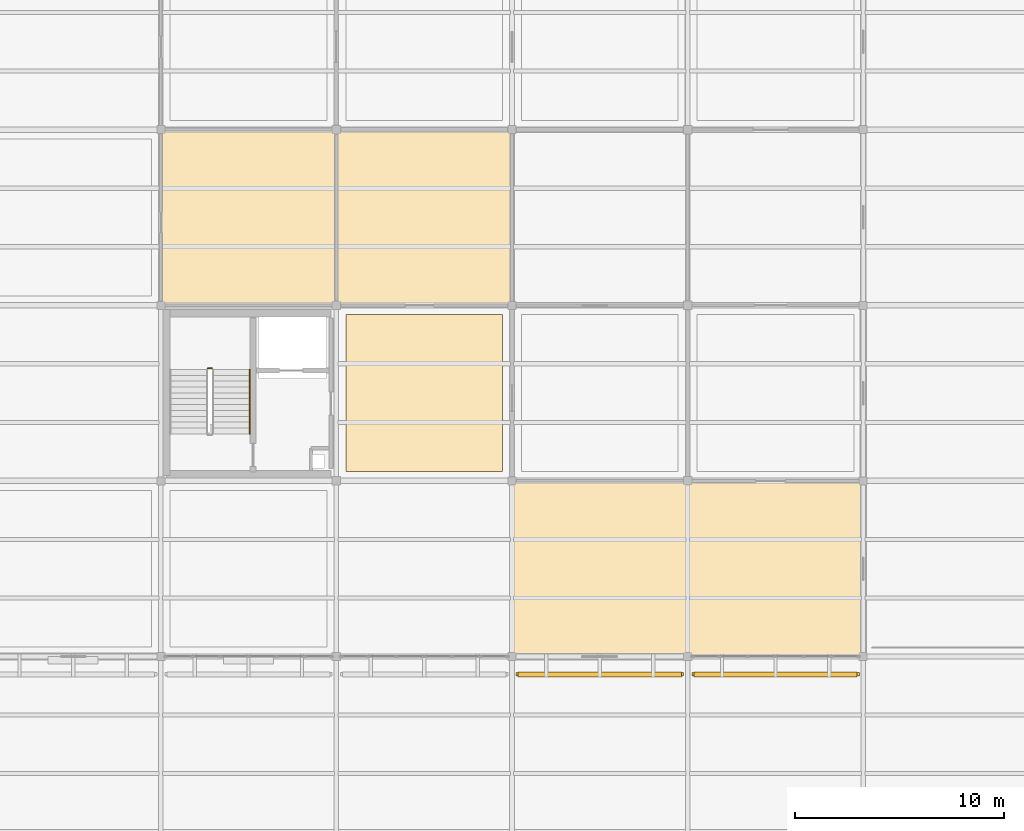
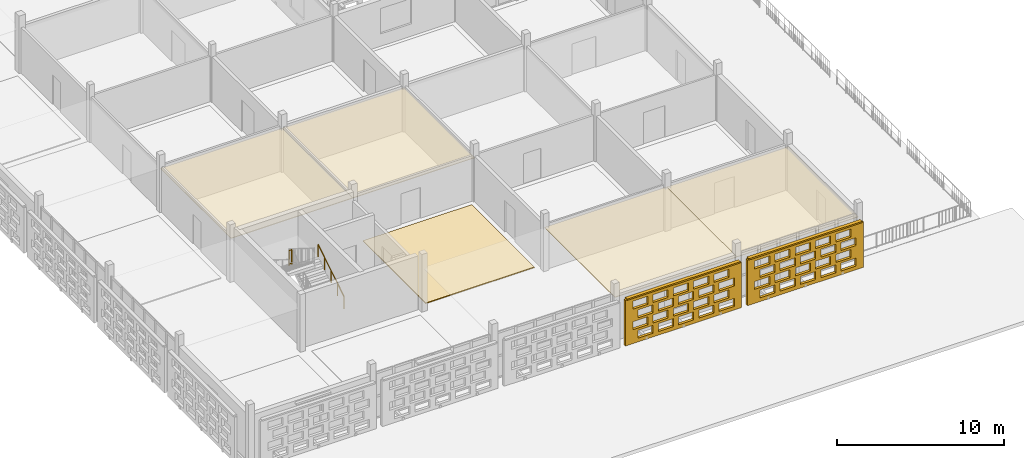
# One storey, part 99 of 140: 7 coverings, 2 railings, 2 shading devices, 40 openings.
"""IFC4 building model written with IfcOpenShell, lengths in metres."""

from ifc_helpers import new_model, si_unit, direction, frame, frame_2d, origin, origin_2d, place, context, subcontext, project, spatial, rectangle, circle, extrude, material, layer, layer_set, type_object, element, save


model = new_model("IFC4")

# Units and contexts
model_context = context("Model", 3, precision=1e-05, world=origin(), true_north=direction((0.0, 1.0)))
body_context = subcontext(model_context, "Body", "Model", "MODEL_VIEW")
ifc_project = project(units=[si_unit("LENGTHUNIT", "METRE"), si_unit("AREAUNIT", "SQUARE_METRE"), si_unit("VOLUMEUNIT", "CUBIC_METRE"), si_unit("PLANEANGLEUNIT", "RADIAN"), si_unit("MASSUNIT", "GRAM", prefix="KILO")], contexts=[model_context])

# Site, building, storey
site_placement = place(None, origin())
site = spatial("IfcSite", under=ifc_project, at=site_placement, CompositionType="ELEMENT")
building_placement = place(site_placement, origin())
building = spatial("IfcBuilding", under=site, at=building_placement, Name="Varnapada Polytechnic", CompositionType="ELEMENT")
storey_placement = place(building_placement, frame((0.0, 0.0, 13.800048828125)))
storey = spatial("IfcBuildingStorey", under=building, at=storey_placement, Name="L03", CompositionType="ELEMENT", Elevation=13.800048828125)

# Covering
ifc_material_1 = material(Name="Anti-Static Raised Laboratory Flooring")
ifc_layer_1 = layer(ifc_material_1, 0.06005859375)
ifc_layer_set_1 = layer_set([ifc_layer_1], Name="Anti-Static Raised Laboratory Flooring")
covering_type_1 = type_object("IfcCoveringType", Name="Floor Finish FLR-02", PredefinedType="FLOORING", material=ifc_layer_set_1)
covering_1_placement = place(storey_placement, frame((29.39990234375, 21.0, 0.0), z_axis=(0.0, 0.0, 1.0), x_axis=(1.0, 0.0, 0.0)))
element("IfcCovering", 1, at=covering_1_placement, inside=storey, type_object=covering_type_1, Name="L03 floor finish panel (4,3)", PredefinedType="FLOORING", context=body_context, shape_type="SweptSolid", body=[
    extrude(rectangle(XDim=7.5, YDim=7.5, at=origin_2d()), origin(), (0.0, 0.0, 1.0), 0.06005859375),
])

# Railings
ifc_material_2 = material(Name="Brushed Stainless Steel 316", Category="steel")
railing_type_1 = type_object("IfcRailingType", Name="Stair Wall Handrail SHR-01", PredefinedType="HANDRAIL", material=ifc_material_2)
railing_1_placement = place(storey_placement, frame((21.050048828125, 19.050048828125, 0.175048828125)))
element("IfcRailing", 2, at=railing_1_placement, inside=storey, type_object=railing_type_1, Name="L03 ST-3 stair handrail 1", PredefinedType="HANDRAIL", context=body_context, shape_type="SweptSolid", body=[
    extrude(circle(Radius=0.02392578125, at=origin_2d()), frame((0.0, 0.0, 0.8759765625), z_axis=(0.0, 0.848009633417, 0.529980812513), x_axis=(-1.0, 0.0, 0.0)), (0.0, 0.0, 1.0), 3.6318359375),
    extrude(circle(Radius=0.02099609375, at=origin_2d()), origin(), (0.0, 0.0, 1.0), 0.851806640625),
    extrude(circle(Radius=0.02099609375, at=origin_2d()), frame((0.0, 0.77001953125, 0.481201171875)), (0.0, 0.0, 1.0), 0.851806640625),
    extrude(circle(Radius=0.02099609375, at=origin_2d()), frame((0.0, 1.5400390625, 0.96240234375)), (0.0, 0.0, 1.0), 0.851806640625),
    extrude(circle(Radius=0.02099609375, at=origin_2d()), frame((0.0, 2.309814453125, 1.443603515625)), (0.0, 0.0, 1.0), 0.851806640625),
    extrude(circle(Radius=0.02099609375, at=origin_2d()), frame((0.0, 3.079833984375, 1.9248046875)), (0.0, 0.0, 1.0), 0.851806640625),
])
railing_type_2 = type_object("IfcRailingType", Name="Stair Well Guard Rail SGR-01", PredefinedType="BALUSTRADE", material=ifc_material_2)
railing_2_placement = place(storey_placement, frame((19.25, 22.179931640625, 2.099853515625)))
element("IfcRailing", 3, at=railing_2_placement, inside=storey, type_object=railing_type_2, Name="L03 ST-3 stair guard 2", PredefinedType="BALUSTRADE", context=body_context, shape_type="SweptSolid", body=[
    extrude(circle(Radius=0.02392578125, at=origin_2d()), frame((0.0, 0.0, 1.09619140625), z_axis=(-1.0, 0.0, 0.0), x_axis=(0.0, -1.0, 0.0)), (0.0, 0.0, 1.0), 0.199951171875),
    extrude(circle(Radius=0.02392578125, at=origin_2d()), frame((0.0, 0.0, 0.10009765625), z_axis=(-1.0, 0.0, 0.0), x_axis=(0.0, -1.0, 0.0)), (0.0, 0.0, 1.0), 0.199951171875),
    extrude(circle(Radius=0.02099609375, at=origin_2d()), origin(), (0.0, 0.0, 1.0), 1.072021484375),
    extrude(circle(Radius=0.02099609375, at=origin_2d()), frame((-0.199951171875, 0.0, 0.0)), (0.0, 0.0, 1.0), 1.072021484375),
])

# Coverings
ifc_material_3 = material(Name="Perforated Timber Slatted Baffle Ceiling", Category="wood")
ifc_layer_2 = layer(ifc_material_3, 0.050048828125)
ifc_layer_set_2 = layer_set([ifc_layer_2], Name="Perforated Timber Slatted Baffle Ceiling")
covering_type_2 = type_object("IfcCoveringType", Name="Suspended Ceiling CLG-02", PredefinedType="CEILING", material=ifc_layer_set_2)
covering_2_placement = place(storey_placement, frame((37.800048828125, 12.60009765625, 3.02490234375), z_axis=(0.0, 0.0, 1.0), x_axis=(1.0, 0.0, 0.0)))
element("IfcCovering", 4, at=covering_2_placement, inside=storey, type_object=covering_type_2, Name="L03 suspended acoustic ceiling (5,2)", PredefinedType="CEILING", context=body_context, shape_type="SweptSolid", body=[
    extrude(rectangle(XDim=8.419921875, YDim=8.419921875, at=origin_2d()), origin(), (0.0, 0.0, 1.0), 0.050048828125),
])
ifc_material_4 = material(Name="Micro-Perforated Gypsum Acoustic Ceiling")
ifc_layer_3 = layer(ifc_material_4, 0.044921875)
ifc_layer_set_3 = layer_set([ifc_layer_3], Name="Micro-Perforated Gypsum Acoustic Ceiling")
covering_type_3 = type_object("IfcCoveringType", Name="Suspended Ceiling CLG-04", PredefinedType="CEILING", material=ifc_layer_set_3)
for number, where, z_axis, x_axis, name in (
    (5, (21.0, 29.39990234375, 3.027587890625), (0.0, 0.0, 1.0), (1.0, 0.0, 0.0), "L03 suspended acoustic ceiling (3,4)"),
    (6, (29.39990234375, 29.39990234375, 3.027587890625), (0.0, 0.0, 1.0), (1.0, 0.0, 0.0), "L03 suspended acoustic ceiling (4,4)"),
):
    element("IfcCovering", number, at=place(storey_placement, frame(where, z_axis=z_axis, x_axis=x_axis)), inside=storey, type_object=covering_type_3, Name=name, PredefinedType="CEILING", context=body_context, shape_type="SweptSolid", body=[
        extrude(rectangle(XDim=8.419921875, YDim=8.419921875, at=origin_2d()), origin(), (0.0, 0.0, 1.0), 0.044921875),
    ])
ifc_material_5 = material(Name="Cleanroom Laboratory Metal Pan Ceiling")
ifc_layer_4 = layer(ifc_material_5, 0.034912109375)
ifc_layer_set_4 = layer_set([ifc_layer_4], Name="Cleanroom Laboratory Metal Pan Ceiling")
covering_type_4 = type_object("IfcCoveringType", Name="Suspended Ceiling CLG-06", PredefinedType="CEILING", material=ifc_layer_set_4)
covering_3_placement = place(storey_placement, frame((46.199951171875, 12.60009765625, 3.03271484375), z_axis=(0.0, 0.0, 1.0), x_axis=(1.0, 0.0, 0.0)))
element("IfcCovering", 7, at=covering_3_placement, inside=storey, type_object=covering_type_4, Name="L03 suspended acoustic ceiling (6,2)", PredefinedType="CEILING", context=body_context, shape_type="SweptSolid", body=[
    extrude(rectangle(XDim=8.419921875, YDim=8.419921875, at=origin_2d()), origin(), (0.0, 0.0, 1.0), 0.034912109375),
])

# Covering, openings
ifc_material_6 = material(Name="Earth-toned architectural terracotta screen block", Category="masonry")
ifc_layer_5 = layer(ifc_material_6, 0.1201171875)
ifc_layer_set_5 = layer_set([ifc_layer_5], Name="Earth-toned architectural terracotta screen block")
covering_type_5 = type_object("IfcCoveringType", Name="Terracotta Screen Cladding CLD-01", PredefinedType="CLADDING", material=ifc_layer_set_5)
covering_4_placement = place(storey_placement, frame((41.800048828125, 7.550048828125, 0.0), z_axis=(0.0, 0.0, 1.0), x_axis=(-1.0, 0.0, 0.0)))
covering_4 = element("IfcCovering", 8, at=covering_4_placement, inside=storey, type_object=covering_type_5, Name="L03 perforated terracotta block screen (33)", PredefinedType="CLADDING", context=body_context, shape_type="SweptSolid", body=[
    extrude(rectangle(XDim=8.010009765625, YDim=0.179931640625, at=frame_2d((4.0048828125, 0.0))), origin(), (0.0, 0.0, 1.0), 3.320068359375),
])
opening_1_placement = place(covering_4_placement, frame((0.5048828125, 0.0, 0.265625)))
element("IfcOpeningElement", 9, at=opening_1_placement, cuts=covering_4, Name="Screen perforation TBS-L03-032.1", PredefinedType="OPENING", context=body_context, shape_type="SweptSolid", body=[
    extrude(rectangle(XDim=1.0400390625, YDim=0.5810546875, at=frame_2d((0.52001953125, 0.29052734375))), frame((0.0, 0.099853515625, 0.0), z_axis=(0.0, -1.0, 0.0), x_axis=(1.0, 0.0, 0.0)), (0.0, 0.0, 1.0), 0.199951171875),
])
opening_2_placement = place(covering_4_placement, frame((1.905029296875, 0.0, 0.265625)))
element("IfcOpeningElement", 10, at=opening_2_placement, cuts=covering_4, Name="Screen perforation TBS-L03-032.2", PredefinedType="OPENING", context=body_context, shape_type="SweptSolid", body=[
    extrude(rectangle(XDim=1.0400390625, YDim=0.5810546875, at=frame_2d((0.52001953125, 0.29052734375))), frame((0.0, 0.099853515625, 0.0), z_axis=(0.0, -1.0, 0.0), x_axis=(1.0, 0.0, 0.0)), (0.0, 0.0, 1.0), 0.199951171875),
])
opening_3_placement = place(covering_4_placement, frame((3.304931640625, 0.0, 0.265625)))
element("IfcOpeningElement", 11, at=opening_3_placement, cuts=covering_4, Name="Screen perforation TBS-L03-032.3", PredefinedType="OPENING", context=body_context, shape_type="SweptSolid", body=[
    extrude(rectangle(XDim=1.0400390625, YDim=0.5810546875, at=frame_2d((0.52001953125, 0.29052734375))), frame((0.0, 0.099853515625, 0.0), z_axis=(0.0, -1.0, 0.0), x_axis=(1.0, 0.0, 0.0)), (0.0, 0.0, 1.0), 0.199951171875),
])
opening_4_placement = place(covering_4_placement, frame((4.705078125, 0.0, 0.265625)))
element("IfcOpeningElement", 12, at=opening_4_placement, cuts=covering_4, Name="Screen perforation TBS-L03-032.4", PredefinedType="OPENING", context=body_context, shape_type="SweptSolid", body=[
    extrude(rectangle(XDim=1.0400390625, YDim=0.5810546875, at=frame_2d((0.52001953125, 0.29052734375))), frame((0.0, 0.099853515625, 0.0), z_axis=(0.0, -1.0, 0.0), x_axis=(1.0, 0.0, 0.0)), (0.0, 0.0, 1.0), 0.199951171875),
])
opening_5_placement = place(covering_4_placement, frame((6.10498046875, 0.0, 0.265625)))
element("IfcOpeningElement", 13, at=opening_5_placement, cuts=covering_4, Name="Screen perforation TBS-L03-032.5", PredefinedType="OPENING", context=body_context, shape_type="SweptSolid", body=[
    extrude(rectangle(XDim=1.0400390625, YDim=0.5810546875, at=frame_2d((0.52001953125, 0.29052734375))), frame((0.0, 0.099853515625, 0.0), z_axis=(0.0, -1.0, 0.0), x_axis=(1.0, 0.0, 0.0)), (0.0, 0.0, 1.0), 0.199951171875),
])
opening_6_placement = place(covering_4_placement, frame((0.864990234375, 0.0, 1.0126953125)))
element("IfcOpeningElement", 14, at=opening_6_placement, cuts=covering_4, Name="Screen perforation TBS-L03-032.6", PredefinedType="OPENING", context=body_context, shape_type="SweptSolid", body=[
    extrude(rectangle(XDim=1.0400390625, YDim=0.5810546875, at=frame_2d((0.52001953125, 0.29052734375))), frame((0.0, 0.099853515625, 0.0), z_axis=(0.0, -1.0, 0.0), x_axis=(1.0, 0.0, 0.0)), (0.0, 0.0, 1.0), 0.199951171875),
])
opening_7_placement = place(covering_4_placement, frame((2.264892578125, 0.0, 1.0126953125)))
element("IfcOpeningElement", 15, at=opening_7_placement, cuts=covering_4, Name="Screen perforation TBS-L03-032.7", PredefinedType="OPENING", context=body_context, shape_type="SweptSolid", body=[
    extrude(rectangle(XDim=1.0400390625, YDim=0.5810546875, at=frame_2d((0.52001953125, 0.29052734375))), frame((0.0, 0.099853515625, 0.0), z_axis=(0.0, -1.0, 0.0), x_axis=(1.0, 0.0, 0.0)), (0.0, 0.0, 1.0), 0.199951171875),
])
opening_8_placement = place(covering_4_placement, frame((3.6650390625, 0.0, 1.0126953125)))
element("IfcOpeningElement", 16, at=opening_8_placement, cuts=covering_4, Name="Screen perforation TBS-L03-032.8", PredefinedType="OPENING", context=body_context, shape_type="SweptSolid", body=[
    extrude(rectangle(XDim=1.0400390625, YDim=0.5810546875, at=frame_2d((0.52001953125, 0.29052734375))), frame((0.0, 0.099853515625, 0.0), z_axis=(0.0, -1.0, 0.0), x_axis=(1.0, 0.0, 0.0)), (0.0, 0.0, 1.0), 0.199951171875),
])
opening_9_placement = place(covering_4_placement, frame((5.06494140625, 0.0, 1.0126953125)))
element("IfcOpeningElement", 17, at=opening_9_placement, cuts=covering_4, Name="Screen perforation TBS-L03-032.9", PredefinedType="OPENING", context=body_context, shape_type="SweptSolid", body=[
    extrude(rectangle(XDim=1.0400390625, YDim=0.5810546875, at=frame_2d((0.52001953125, 0.29052734375))), frame((0.0, 0.099853515625, 0.0), z_axis=(0.0, -1.0, 0.0), x_axis=(1.0, 0.0, 0.0)), (0.0, 0.0, 1.0), 0.199951171875),
])
opening_10_placement = place(covering_4_placement, frame((6.465087890625, 0.0, 1.0126953125)))
element("IfcOpeningElement", 18, at=opening_10_placement, cuts=covering_4, Name="Screen perforation TBS-L03-032.10", PredefinedType="OPENING", context=body_context, shape_type="SweptSolid", body=[
    extrude(rectangle(XDim=1.0400390625, YDim=0.5810546875, at=frame_2d((0.52001953125, 0.29052734375))), frame((0.0, 0.099853515625, 0.0), z_axis=(0.0, -1.0, 0.0), x_axis=(1.0, 0.0, 0.0)), (0.0, 0.0, 1.0), 0.199951171875),
])
opening_11_placement = place(covering_4_placement, frame((0.5048828125, 0.0, 1.759521484375)))
element("IfcOpeningElement", 19, at=opening_11_placement, cuts=covering_4, Name="Screen perforation TBS-L03-032.11", PredefinedType="OPENING", context=body_context, shape_type="SweptSolid", body=[
    extrude(rectangle(XDim=1.0400390625, YDim=0.5810546875, at=frame_2d((0.52001953125, 0.29052734375))), frame((0.0, 0.099853515625, 0.0), z_axis=(0.0, -1.0, 0.0), x_axis=(1.0, 0.0, 0.0)), (0.0, 0.0, 1.0), 0.199951171875),
])
opening_12_placement = place(covering_4_placement, frame((1.905029296875, 0.0, 1.759521484375)))
element("IfcOpeningElement", 20, at=opening_12_placement, cuts=covering_4, Name="Screen perforation TBS-L03-032.12", PredefinedType="OPENING", context=body_context, shape_type="SweptSolid", body=[
    extrude(rectangle(XDim=1.0400390625, YDim=0.5810546875, at=frame_2d((0.52001953125, 0.29052734375))), frame((0.0, 0.099853515625, 0.0), z_axis=(0.0, -1.0, 0.0), x_axis=(1.0, 0.0, 0.0)), (0.0, 0.0, 1.0), 0.199951171875),
])
opening_13_placement = place(covering_4_placement, frame((3.304931640625, 0.0, 1.759521484375)))
element("IfcOpeningElement", 21, at=opening_13_placement, cuts=covering_4, Name="Screen perforation TBS-L03-032.13", PredefinedType="OPENING", context=body_context, shape_type="SweptSolid", body=[
    extrude(rectangle(XDim=1.0400390625, YDim=0.5810546875, at=frame_2d((0.52001953125, 0.29052734375))), frame((0.0, 0.099853515625, 0.0), z_axis=(0.0, -1.0, 0.0), x_axis=(1.0, 0.0, 0.0)), (0.0, 0.0, 1.0), 0.199951171875),
])
opening_14_placement = place(covering_4_placement, frame((4.705078125, 0.0, 1.759521484375)))
element("IfcOpeningElement", 22, at=opening_14_placement, cuts=covering_4, Name="Screen perforation TBS-L03-032.14", PredefinedType="OPENING", context=body_context, shape_type="SweptSolid", body=[
    extrude(rectangle(XDim=1.0400390625, YDim=0.5810546875, at=frame_2d((0.52001953125, 0.29052734375))), frame((0.0, 0.099853515625, 0.0), z_axis=(0.0, -1.0, 0.0), x_axis=(1.0, 0.0, 0.0)), (0.0, 0.0, 1.0), 0.199951171875),
])
opening_15_placement = place(covering_4_placement, frame((6.10498046875, 0.0, 1.759521484375)))
element("IfcOpeningElement", 23, at=opening_15_placement, cuts=covering_4, Name="Screen perforation TBS-L03-032.15", PredefinedType="OPENING", context=body_context, shape_type="SweptSolid", body=[
    extrude(rectangle(XDim=1.0400390625, YDim=0.5810546875, at=frame_2d((0.52001953125, 0.29052734375))), frame((0.0, 0.099853515625, 0.0), z_axis=(0.0, -1.0, 0.0), x_axis=(1.0, 0.0, 0.0)), (0.0, 0.0, 1.0), 0.199951171875),
])
opening_16_placement = place(covering_4_placement, frame((0.864990234375, 0.0, 2.506591796875)))
element("IfcOpeningElement", 24, at=opening_16_placement, cuts=covering_4, Name="Screen perforation TBS-L03-032.16", PredefinedType="OPENING", context=body_context, shape_type="SweptSolid", body=[
    extrude(rectangle(XDim=1.0400390625, YDim=0.5810546875, at=frame_2d((0.52001953125, 0.29052734375))), frame((0.0, 0.099853515625, 0.0), z_axis=(0.0, -1.0, 0.0), x_axis=(1.0, 0.0, 0.0)), (0.0, 0.0, 1.0), 0.199951171875),
])
opening_17_placement = place(covering_4_placement, frame((2.264892578125, 0.0, 2.506591796875)))
element("IfcOpeningElement", 25, at=opening_17_placement, cuts=covering_4, Name="Screen perforation TBS-L03-032.17", PredefinedType="OPENING", context=body_context, shape_type="SweptSolid", body=[
    extrude(rectangle(XDim=1.0400390625, YDim=0.5810546875, at=frame_2d((0.52001953125, 0.29052734375))), frame((0.0, 0.099853515625, 0.0), z_axis=(0.0, -1.0, 0.0), x_axis=(1.0, 0.0, 0.0)), (0.0, 0.0, 1.0), 0.199951171875),
])
opening_18_placement = place(covering_4_placement, frame((3.6650390625, 0.0, 2.506591796875)))
element("IfcOpeningElement", 26, at=opening_18_placement, cuts=covering_4, Name="Screen perforation TBS-L03-032.18", PredefinedType="OPENING", context=body_context, shape_type="SweptSolid", body=[
    extrude(rectangle(XDim=1.0400390625, YDim=0.5810546875, at=frame_2d((0.52001953125, 0.29052734375))), frame((0.0, 0.099853515625, 0.0), z_axis=(0.0, -1.0, 0.0), x_axis=(1.0, 0.0, 0.0)), (0.0, 0.0, 1.0), 0.199951171875),
])
opening_19_placement = place(covering_4_placement, frame((5.06494140625, 0.0, 2.506591796875)))
element("IfcOpeningElement", 27, at=opening_19_placement, cuts=covering_4, Name="Screen perforation TBS-L03-032.19", PredefinedType="OPENING", context=body_context, shape_type="SweptSolid", body=[
    extrude(rectangle(XDim=1.0400390625, YDim=0.5810546875, at=frame_2d((0.52001953125, 0.29052734375))), frame((0.0, 0.099853515625, 0.0), z_axis=(0.0, -1.0, 0.0), x_axis=(1.0, 0.0, 0.0)), (0.0, 0.0, 1.0), 0.199951171875),
])
opening_20_placement = place(covering_4_placement, frame((6.465087890625, 0.0, 2.506591796875)))
element("IfcOpeningElement", 28, at=opening_20_placement, cuts=covering_4, Name="Screen perforation TBS-L03-032.20", PredefinedType="OPENING", context=body_context, shape_type="SweptSolid", body=[
    extrude(rectangle(XDim=1.0400390625, YDim=0.5810546875, at=frame_2d((0.52001953125, 0.29052734375))), frame((0.0, 0.099853515625, 0.0), z_axis=(0.0, -1.0, 0.0), x_axis=(1.0, 0.0, 0.0)), (0.0, 0.0, 1.0), 0.199951171875),
])

covering_5_placement = place(storey_placement, frame((50.2099609375, 7.550048828125, 0.0), z_axis=(0.0, 0.0, 1.0), x_axis=(-1.0, 0.0, 0.0)))
covering_5 = element("IfcCovering", 29, at=covering_5_placement, inside=storey, type_object=covering_type_5, Name="L03 perforated terracotta block screen (35)", PredefinedType="CLADDING", context=body_context, shape_type="SweptSolid", body=[
    extrude(rectangle(XDim=8.010009765625, YDim=0.179931640625, at=frame_2d((4.0048828125, 0.0))), origin(), (0.0, 0.0, 1.0), 3.320068359375),
])
opening_21_placement = place(covering_5_placement, frame((0.5048828125, 0.0, 0.265625)))
element("IfcOpeningElement", 30, at=opening_21_placement, cuts=covering_5, Name="Screen perforation TBS-L03-034.1", PredefinedType="OPENING", context=body_context, shape_type="SweptSolid", body=[
    extrude(rectangle(XDim=1.0400390625, YDim=0.5810546875, at=frame_2d((0.52001953125, 0.29052734375))), frame((0.0, 0.099853515625, 0.0), z_axis=(0.0, -1.0, 0.0), x_axis=(1.0, 0.0, 0.0)), (0.0, 0.0, 1.0), 0.199951171875),
])
opening_22_placement = place(covering_5_placement, frame((1.905029296875, 0.0, 0.265625)))
element("IfcOpeningElement", 31, at=opening_22_placement, cuts=covering_5, Name="Screen perforation TBS-L03-034.2", PredefinedType="OPENING", context=body_context, shape_type="SweptSolid", body=[
    extrude(rectangle(XDim=1.0400390625, YDim=0.5810546875, at=frame_2d((0.52001953125, 0.29052734375))), frame((0.0, 0.099853515625, 0.0), z_axis=(0.0, -1.0, 0.0), x_axis=(1.0, 0.0, 0.0)), (0.0, 0.0, 1.0), 0.199951171875),
])
opening_23_placement = place(covering_5_placement, frame((3.304931640625, 0.0, 0.265625)))
element("IfcOpeningElement", 32, at=opening_23_placement, cuts=covering_5, Name="Screen perforation TBS-L03-034.3", PredefinedType="OPENING", context=body_context, shape_type="SweptSolid", body=[
    extrude(rectangle(XDim=1.0400390625, YDim=0.5810546875, at=frame_2d((0.52001953125, 0.29052734375))), frame((0.0, 0.099853515625, 0.0), z_axis=(0.0, -1.0, 0.0), x_axis=(1.0, 0.0, 0.0)), (0.0, 0.0, 1.0), 0.199951171875),
])
opening_24_placement = place(covering_5_placement, frame((4.705078125, 0.0, 0.265625)))
element("IfcOpeningElement", 33, at=opening_24_placement, cuts=covering_5, Name="Screen perforation TBS-L03-034.4", PredefinedType="OPENING", context=body_context, shape_type="SweptSolid", body=[
    extrude(rectangle(XDim=1.0400390625, YDim=0.5810546875, at=frame_2d((0.52001953125, 0.29052734375))), frame((0.0, 0.099853515625, 0.0), z_axis=(0.0, -1.0, 0.0), x_axis=(1.0, 0.0, 0.0)), (0.0, 0.0, 1.0), 0.199951171875),
])
opening_25_placement = place(covering_5_placement, frame((6.10498046875, 0.0, 0.265625)))
element("IfcOpeningElement", 34, at=opening_25_placement, cuts=covering_5, Name="Screen perforation TBS-L03-034.5", PredefinedType="OPENING", context=body_context, shape_type="SweptSolid", body=[
    extrude(rectangle(XDim=1.0400390625, YDim=0.5810546875, at=frame_2d((0.52001953125, 0.29052734375))), frame((0.0, 0.099853515625, 0.0), z_axis=(0.0, -1.0, 0.0), x_axis=(1.0, 0.0, 0.0)), (0.0, 0.0, 1.0), 0.199951171875),
])
opening_26_placement = place(covering_5_placement, frame((0.864990234375, 0.0, 1.0126953125)))
element("IfcOpeningElement", 35, at=opening_26_placement, cuts=covering_5, Name="Screen perforation TBS-L03-034.6", PredefinedType="OPENING", context=body_context, shape_type="SweptSolid", body=[
    extrude(rectangle(XDim=1.0400390625, YDim=0.5810546875, at=frame_2d((0.52001953125, 0.29052734375))), frame((0.0, 0.099853515625, 0.0), z_axis=(0.0, -1.0, 0.0), x_axis=(1.0, 0.0, 0.0)), (0.0, 0.0, 1.0), 0.199951171875),
])
opening_27_placement = place(covering_5_placement, frame((2.264892578125, 0.0, 1.0126953125)))
element("IfcOpeningElement", 36, at=opening_27_placement, cuts=covering_5, Name="Screen perforation TBS-L03-034.7", PredefinedType="OPENING", context=body_context, shape_type="SweptSolid", body=[
    extrude(rectangle(XDim=1.0400390625, YDim=0.5810546875, at=frame_2d((0.52001953125, 0.29052734375))), frame((0.0, 0.099853515625, 0.0), z_axis=(0.0, -1.0, 0.0), x_axis=(1.0, 0.0, 0.0)), (0.0, 0.0, 1.0), 0.199951171875),
])
opening_28_placement = place(covering_5_placement, frame((3.6650390625, 0.0, 1.0126953125)))
element("IfcOpeningElement", 37, at=opening_28_placement, cuts=covering_5, Name="Screen perforation TBS-L03-034.8", PredefinedType="OPENING", context=body_context, shape_type="SweptSolid", body=[
    extrude(rectangle(XDim=1.0400390625, YDim=0.5810546875, at=frame_2d((0.52001953125, 0.29052734375))), frame((0.0, 0.099853515625, 0.0), z_axis=(0.0, -1.0, 0.0), x_axis=(1.0, 0.0, 0.0)), (0.0, 0.0, 1.0), 0.199951171875),
])
opening_29_placement = place(covering_5_placement, frame((5.06494140625, 0.0, 1.0126953125)))
element("IfcOpeningElement", 38, at=opening_29_placement, cuts=covering_5, Name="Screen perforation TBS-L03-034.9", PredefinedType="OPENING", context=body_context, shape_type="SweptSolid", body=[
    extrude(rectangle(XDim=1.0400390625, YDim=0.5810546875, at=frame_2d((0.52001953125, 0.29052734375))), frame((0.0, 0.099853515625, 0.0), z_axis=(0.0, -1.0, 0.0), x_axis=(1.0, 0.0, 0.0)), (0.0, 0.0, 1.0), 0.199951171875),
])
opening_30_placement = place(covering_5_placement, frame((6.465087890625, 0.0, 1.0126953125)))
element("IfcOpeningElement", 39, at=opening_30_placement, cuts=covering_5, Name="Screen perforation TBS-L03-034.10", PredefinedType="OPENING", context=body_context, shape_type="SweptSolid", body=[
    extrude(rectangle(XDim=1.0400390625, YDim=0.5810546875, at=frame_2d((0.52001953125, 0.29052734375))), frame((0.0, 0.099853515625, 0.0), z_axis=(0.0, -1.0, 0.0), x_axis=(1.0, 0.0, 0.0)), (0.0, 0.0, 1.0), 0.199951171875),
])
opening_31_placement = place(covering_5_placement, frame((0.5048828125, 0.0, 1.759521484375)))
element("IfcOpeningElement", 40, at=opening_31_placement, cuts=covering_5, Name="Screen perforation TBS-L03-034.11", PredefinedType="OPENING", context=body_context, shape_type="SweptSolid", body=[
    extrude(rectangle(XDim=1.0400390625, YDim=0.5810546875, at=frame_2d((0.52001953125, 0.29052734375))), frame((0.0, 0.099853515625, 0.0), z_axis=(0.0, -1.0, 0.0), x_axis=(1.0, 0.0, 0.0)), (0.0, 0.0, 1.0), 0.199951171875),
])
opening_32_placement = place(covering_5_placement, frame((1.905029296875, 0.0, 1.759521484375)))
element("IfcOpeningElement", 41, at=opening_32_placement, cuts=covering_5, Name="Screen perforation TBS-L03-034.12", PredefinedType="OPENING", context=body_context, shape_type="SweptSolid", body=[
    extrude(rectangle(XDim=1.0400390625, YDim=0.5810546875, at=frame_2d((0.52001953125, 0.29052734375))), frame((0.0, 0.099853515625, 0.0), z_axis=(0.0, -1.0, 0.0), x_axis=(1.0, 0.0, 0.0)), (0.0, 0.0, 1.0), 0.199951171875),
])
opening_33_placement = place(covering_5_placement, frame((3.304931640625, 0.0, 1.759521484375)))
element("IfcOpeningElement", 42, at=opening_33_placement, cuts=covering_5, Name="Screen perforation TBS-L03-034.13", PredefinedType="OPENING", context=body_context, shape_type="SweptSolid", body=[
    extrude(rectangle(XDim=1.0400390625, YDim=0.5810546875, at=frame_2d((0.52001953125, 0.29052734375))), frame((0.0, 0.099853515625, 0.0), z_axis=(0.0, -1.0, 0.0), x_axis=(1.0, 0.0, 0.0)), (0.0, 0.0, 1.0), 0.199951171875),
])
opening_34_placement = place(covering_5_placement, frame((4.705078125, 0.0, 1.759521484375)))
element("IfcOpeningElement", 43, at=opening_34_placement, cuts=covering_5, Name="Screen perforation TBS-L03-034.14", PredefinedType="OPENING", context=body_context, shape_type="SweptSolid", body=[
    extrude(rectangle(XDim=1.0400390625, YDim=0.5810546875, at=frame_2d((0.52001953125, 0.29052734375))), frame((0.0, 0.099853515625, 0.0), z_axis=(0.0, -1.0, 0.0), x_axis=(1.0, 0.0, 0.0)), (0.0, 0.0, 1.0), 0.199951171875),
])
opening_35_placement = place(covering_5_placement, frame((6.10498046875, 0.0, 1.759521484375)))
element("IfcOpeningElement", 44, at=opening_35_placement, cuts=covering_5, Name="Screen perforation TBS-L03-034.15", PredefinedType="OPENING", context=body_context, shape_type="SweptSolid", body=[
    extrude(rectangle(XDim=1.0400390625, YDim=0.5810546875, at=frame_2d((0.52001953125, 0.29052734375))), frame((0.0, 0.099853515625, 0.0), z_axis=(0.0, -1.0, 0.0), x_axis=(1.0, 0.0, 0.0)), (0.0, 0.0, 1.0), 0.199951171875),
])
opening_36_placement = place(covering_5_placement, frame((0.864990234375, 0.0, 2.506591796875)))
element("IfcOpeningElement", 45, at=opening_36_placement, cuts=covering_5, Name="Screen perforation TBS-L03-034.16", PredefinedType="OPENING", context=body_context, shape_type="SweptSolid", body=[
    extrude(rectangle(XDim=1.0400390625, YDim=0.5810546875, at=frame_2d((0.52001953125, 0.29052734375))), frame((0.0, 0.099853515625, 0.0), z_axis=(0.0, -1.0, 0.0), x_axis=(1.0, 0.0, 0.0)), (0.0, 0.0, 1.0), 0.199951171875),
])
opening_37_placement = place(covering_5_placement, frame((2.264892578125, 0.0, 2.506591796875)))
element("IfcOpeningElement", 46, at=opening_37_placement, cuts=covering_5, Name="Screen perforation TBS-L03-034.17", PredefinedType="OPENING", context=body_context, shape_type="SweptSolid", body=[
    extrude(rectangle(XDim=1.0400390625, YDim=0.5810546875, at=frame_2d((0.52001953125, 0.29052734375))), frame((0.0, 0.099853515625, 0.0), z_axis=(0.0, -1.0, 0.0), x_axis=(1.0, 0.0, 0.0)), (0.0, 0.0, 1.0), 0.199951171875),
])
opening_38_placement = place(covering_5_placement, frame((3.6650390625, 0.0, 2.506591796875)))
element("IfcOpeningElement", 47, at=opening_38_placement, cuts=covering_5, Name="Screen perforation TBS-L03-034.18", PredefinedType="OPENING", context=body_context, shape_type="SweptSolid", body=[
    extrude(rectangle(XDim=1.0400390625, YDim=0.5810546875, at=frame_2d((0.52001953125, 0.29052734375))), frame((0.0, 0.099853515625, 0.0), z_axis=(0.0, -1.0, 0.0), x_axis=(1.0, 0.0, 0.0)), (0.0, 0.0, 1.0), 0.199951171875),
])
opening_39_placement = place(covering_5_placement, frame((5.06494140625, 0.0, 2.506591796875)))
element("IfcOpeningElement", 48, at=opening_39_placement, cuts=covering_5, Name="Screen perforation TBS-L03-034.19", PredefinedType="OPENING", context=body_context, shape_type="SweptSolid", body=[
    extrude(rectangle(XDim=1.0400390625, YDim=0.5810546875, at=frame_2d((0.52001953125, 0.29052734375))), frame((0.0, 0.099853515625, 0.0), z_axis=(0.0, -1.0, 0.0), x_axis=(1.0, 0.0, 0.0)), (0.0, 0.0, 1.0), 0.199951171875),
])
opening_40_placement = place(covering_5_placement, frame((6.465087890625, 0.0, 2.506591796875)))
element("IfcOpeningElement", 49, at=opening_40_placement, cuts=covering_5, Name="Screen perforation TBS-L03-034.20", PredefinedType="OPENING", context=body_context, shape_type="SweptSolid", body=[
    extrude(rectangle(XDim=1.0400390625, YDim=0.5810546875, at=frame_2d((0.52001953125, 0.29052734375))), frame((0.0, 0.099853515625, 0.0), z_axis=(0.0, -1.0, 0.0), x_axis=(1.0, 0.0, 0.0)), (0.0, 0.0, 1.0), 0.199951171875),
])

# Shading devices
ifc_layer_6 = layer(ifc_material_6, 0.179931640625)
ifc_layer_set_6 = layer_set([ifc_layer_6], Name="Earth-toned architectural terracotta screen block")
shading_device_type = type_object("IfcShadingDeviceType", Name="Terracotta Screen SCR-01", PredefinedType="USERDEFINED", material=ifc_layer_set_6)
for number, where, z_axis, x_axis, name in (
    (50, (37.794921875, 7.550048828125, 3.309814453125), (0.0, 0.0, 1.0), (-1.0, 0.0, 0.0), "L03 perforated terracotta screen hood 368"),
    (51, (46.205078125, 7.550048828125, 3.309814453125), (0.0, 0.0, 1.0), (-1.0, 0.0, 0.0), "L03 perforated terracotta screen hood 370"),
):
    element("IfcShadingDevice", number, at=place(storey_placement, frame(where, z_axis=z_axis, x_axis=x_axis)), inside=storey, type_object=shading_device_type, Name=name, ObjectType="SCREEN", PredefinedType="USERDEFINED", context=body_context, shape_type="SweptSolid", body=[
        extrude(rectangle(XDim=7.81005859375, YDim=0.239990234375, at=origin_2d()), origin(), (0.0, 0.0, 1.0), 0.10009765625),
    ])

save(model, "model.ifc")
